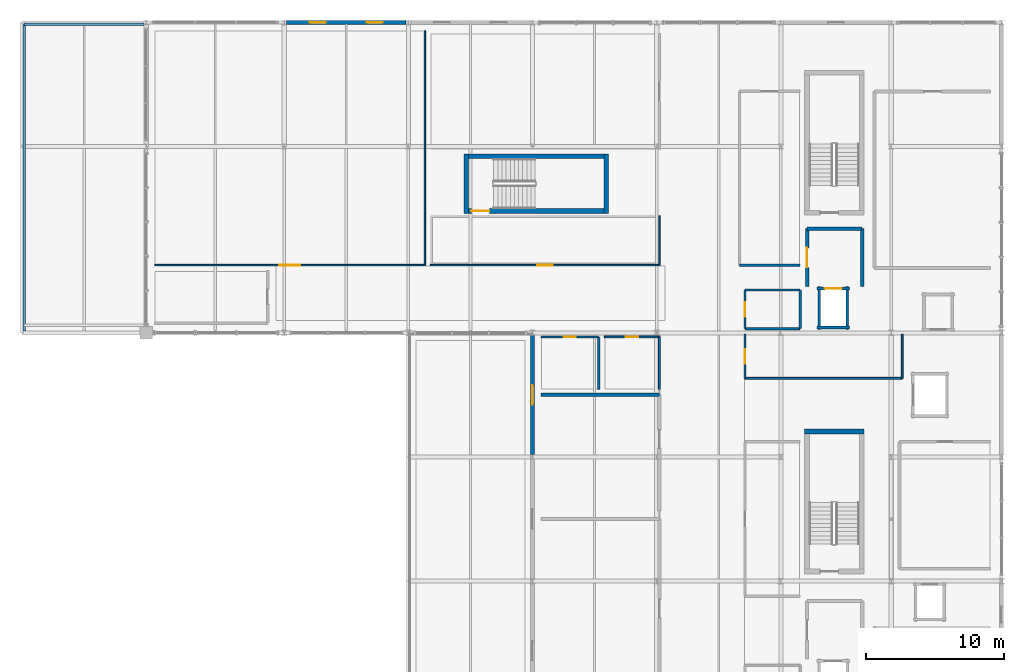
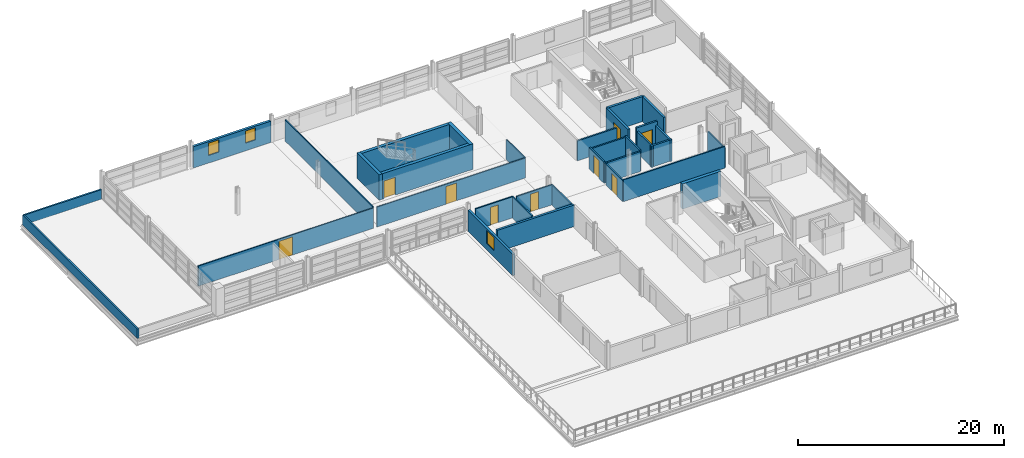
# One storey, part 23 of 30: 33 walls, 9 doors, 3 windows, 12 openings.
"""IFC4 building model written with IfcOpenShell, lengths in metres."""

from ifc_helpers import new_model, si_unit, direction, frame, frame_2d, origin, place, context, subcontext, project, spatial, rectangle, extrude, material, layer, layer_set, type_object, element, fill, save


model = new_model("IFC4")

# Units and contexts
model_context = context("Model", 3, precision=1e-05, world=origin(), true_north=direction((0.0, 1.0)))
body_context = subcontext(model_context, "Body", "Model", "MODEL_VIEW")
ifc_project = project(units=[si_unit("LENGTHUNIT", "METRE"), si_unit("AREAUNIT", "SQUARE_METRE"), si_unit("VOLUMEUNIT", "CUBIC_METRE"), si_unit("PLANEANGLEUNIT", "RADIAN"), si_unit("MASSUNIT", "GRAM", prefix="KILO")], contexts=[model_context])

# Site, building, storey
site_placement = place(None, origin())
site = spatial("IfcSite", under=ifc_project, at=site_placement, CompositionType="ELEMENT")
building_placement = place(site_placement, origin())
building = spatial("IfcBuilding", under=site, at=building_placement, Name="Chuanluo Vaults Station", CompositionType="ELEMENT")
storey_placement = place(building_placement, frame((0.0, 0.0, 17.60009765625)))
storey = spatial("IfcBuildingStorey", under=building, at=storey_placement, Name="L04", CompositionType="ELEMENT", Elevation=17.60009765625)

# Wall
ifc_material_1 = material(Name="Concrete C50", Category="concrete")
ifc_layer_1 = layer(ifc_material_1, 0.35009765625)
ifc_layer_set_1 = layer_set([ifc_layer_1], Name="Concrete C50")
wall_type_1 = type_object("IfcWallType", Name="WL-COR-350", PredefinedType="SHEAR", material=ifc_layer_set_1)
wall_1_placement = place(storey_placement, frame((178.03759765625, 96.347412109375, 0.0), z_axis=(0.0, 0.0, 1.0), x_axis=(-1.0, 0.0, 0.0)))
element("IfcWall", 1, at=wall_1_placement, inside=storey, type_object=wall_type_1, Name="Core K1 far shear wall", PredefinedType="SHEAR", context=body_context, shape_type="SweptSolid", body=[
    extrude(rectangle(XDim=4.320068359375, YDim=0.35009765625, at=frame_2d((2.16015625, 0.0))), origin(), (0.0, 0.0, 1.0), 2.97998046875),
])

# Wall, opening, door
wall_2_placement = place(storey_placement, frame((149.02490234375, 112.324951171875, 0.0), z_axis=(0.0, 0.0, 1.0), x_axis=(1.0, 0.0, 0.0)))
wall_2 = element("IfcWall", 2, at=wall_2_placement, inside=storey, type_object=wall_type_1, Name="Core K3 left shear wall", PredefinedType="SHEAR", context=body_context, shape_type="SweptSolid", body=[
    extrude(rectangle(XDim=10.49755859375, YDim=0.35009765625, at=frame_2d((5.248779296875, 0.0))), origin(), (0.0, 0.0, 1.0), 3.02001953125),
])
opening_1_placement = place(wall_2_placement, frame((0.550048828125, 0.0, 0.0)))
opening_1 = element("IfcOpeningElement", 3, at=opening_1_placement, cuts=wall_2, Name="Opening FD-05", PredefinedType="OPENING", context=body_context, shape_type="SweptSolid", body=[
    extrude(rectangle(XDim=1.300048828125, YDim=2.10009765625, at=frame_2d((0.64990234375, 1.050048828125))), frame((0.0, 0.18505, 0.0), z_axis=(0.0, -1.0, 0.0), x_axis=(1.0, 0.0, 0.0)), (0.0, 0.0, 1.0), 0.3701),
])
ifc_material_2 = material(Name="Fire-rated steel leaf", Category="steel")
door_type_1 = type_object("IfcDoorType", Name="DR-FIR-1300x2100", OperationType="NOTDEFINED", PredefinedType="DOOR", material=ifc_material_2)
door_1_placement = place(opening_1_placement, origin())
door_1 = element("IfcDoor", 4, at=door_1_placement, inside=storey, type_object=door_type_1, Name="D-077 Stair ST-03 fire door", OperationType="SINGLE_SWING_RIGHT", OverallHeight=2.10009765625, OverallWidth=1.300048828125, PredefinedType="DOOR", context=body_context, shape_type="SweptSolid", body=[
    extrude(rectangle(XDim=1.300048828125, YDim=2.10009765625, at=frame_2d((0.64990234375, 1.050048828125))), frame((0.0, 0.02490234375, 0.0), z_axis=(0.0, -1.0, 0.0), x_axis=(1.0, 0.0, 0.0)), (0.0, 0.0, 1.0), 0.050048828125),
])
fill(opening_1, door_1)

# Walls
wall_3_placement = place(storey_placement, frame((159.5224609375, 116.294921875, 0.0), z_axis=(0.0, 0.0, 1.0), x_axis=(-1.0, 0.0, 0.0)))
element("IfcWall", 5, at=wall_3_placement, inside=storey, type_object=wall_type_1, Name="Core K3 right shear wall", PredefinedType="SHEAR", context=body_context, shape_type="SweptSolid", body=[
    extrude(rectangle(XDim=10.49755859375, YDim=0.35009765625, at=frame_2d((5.248779296875, 0.0))), origin(), (0.0, 0.0, 1.0), 3.02001953125),
])
for number, where, z_axis, x_axis, name in (
    (6, (159.347412109375, 112.14990234375, 0.0), (0.0, 0.0, 1.0), (0.0, 1.0, 0.0), "Core K3 far shear wall"),
    (7, (149.199951171875, 116.469970703125, 0.0), (0.0, 0.0, 1.0), (0.0, -1.0, 0.0), "Core K3 near shear wall"),
):
    element("IfcWall", number, at=place(storey_placement, frame(where, z_axis=z_axis, x_axis=x_axis)), inside=storey, type_object=wall_type_1, Name=name, PredefinedType="SHEAR", context=body_context, shape_type="SweptSolid", body=[
        extrude(rectangle(XDim=4.320068359375, YDim=0.35009765625, at=frame_2d((2.16015625, 0.0))), origin(), (0.0, 0.0, 1.0), 3.02001953125),
    ])

# Wall, opening, window
ifc_material_3 = material(Name="Concrete C40", Category="concrete")
ifc_layer_2 = layer(ifc_material_3, 0.260009765625)
ifc_layer_set_2 = layer_set([ifc_layer_2], Name="Concrete C40")
wall_type_2 = type_object("IfcWallType", Name="WL-EXT-260", PredefinedType="SOLIDWALL", material=ifc_layer_set_2)
wall_4_placement = place(storey_placement, frame((154.0, 94.675048828125, 0.0), z_axis=(0.0, 0.0, 1.0), x_axis=(0.0, 1.0, 0.0)))
wall_4 = element("IfcWall", 8, at=wall_4_placement, inside=storey, type_object=wall_type_2, Name="L04 west terrace wall 2B", PredefinedType="SOLIDWALL", context=body_context, shape_type="SweptSolid", body=[
    extrude(rectangle(XDim=8.64990234375, YDim=0.260009765625, at=frame_2d((4.324951171875, 0.0))), origin(), (0.0, 0.0, 1.0), 2.5048828125),
])
opening_2_placement = place(wall_4_placement, frame((3.625, 0.0, 0.75)))
opening_2 = element("IfcOpeningElement", 9, at=opening_2_placement, cuts=wall_4, Name="Opening W-41", PredefinedType="OPENING", context=body_context, shape_type="SweptSolid", body=[
    extrude(rectangle(XDim=1.39990234375, YDim=1.550048828125, at=frame_2d((0.699951171875, 0.77490234375))), frame((0.0, 0.13988, 0.0), z_axis=(0.0, -1.0, 0.0), x_axis=(1.0, 0.0, 0.0)), (0.0, 0.0, 1.0), 0.28001),
])
ifc_material_4 = material(Name="Double-silver Low-E laminated glass", Category="glass")
window_type_1 = type_object("IfcWindowType", Name="WN-OPS-1400x1550", PartitioningType="SINGLE_PANEL", PredefinedType="WINDOW", material=ifc_material_4)
window_1_placement = place(opening_2_placement, origin())
window_1 = element("IfcWindow", 10, at=window_1_placement, inside=storey, type_object=window_type_1, Name="W-126 L04 west terrace wall 2B window", OverallHeight=1.550048828125, OverallWidth=1.39990234375, PartitioningType="SINGLE_PANEL", PredefinedType="WINDOW", context=body_context, shape_type="SweptSolid", body=[
    extrude(rectangle(XDim=1.39990234375, YDim=1.550048828125, at=frame_2d((0.699951171875, 0.77490234375))), frame((0.0, 0.030029296875, 0.0), z_axis=(0.0, -1.0, 0.0), x_axis=(1.0, 0.0, 0.0)), (0.0, 0.0, 1.0), 0.06005859375),
])
fill(opening_2, window_1)

# Wall, openings, windows
ifc_material_5 = material(Name="Concrete C40", Category="concrete")
ifc_layer_3 = layer(ifc_material_5, 0.27001953125)
ifc_layer_set_3 = layer_set([ifc_layer_3], Name="Concrete C40")
wall_type_3 = type_object("IfcWallType", Name="WL-EXT-270", PredefinedType="SOLIDWALL", material=ifc_layer_set_3)
wall_5_placement = place(storey_placement, frame((136.175048828125, 126.0, 0.0), z_axis=(0.0, 0.0, 1.0), x_axis=(1.0, 0.0, 0.0)))
wall_5 = element("IfcWall", 11, at=wall_5_placement, inside=storey, type_object=wall_type_3, Name="L04 exterior punched wall 23", PredefinedType="SOLIDWALL", context=body_context, shape_type="SweptSolid", body=[
    extrude(rectangle(XDim=8.64990234375, YDim=0.27001953125, at=frame_2d((4.324951171875, 0.0))), origin(), (0.0, 0.0, 1.0), 2.534912109375),
])
opening_3_placement = place(wall_5_placement, frame((1.68994140625, 0.0, 0.89990234375)))
opening_3 = element("IfcOpeningElement", 12, at=opening_3_placement, cuts=wall_5, Name="Opening W-49", PredefinedType="OPENING", context=body_context, shape_type="SweptSolid", body=[
    extrude(rectangle(XDim=1.14990234375, YDim=1.449951171875, at=frame_2d((0.574951171875, 0.72509765625))), frame((0.0, 0.14501, 0.0), z_axis=(0.0, -1.0, 0.0), x_axis=(1.0, 0.0, 0.0)), (0.0, 0.0, 1.0), 0.29002),
])
opening_4_placement = place(wall_5_placement, frame((5.81005859375, 0.0, 0.89990234375)))
opening_4 = element("IfcOpeningElement", 13, at=opening_4_placement, cuts=wall_5, Name="Opening W-49", PredefinedType="OPENING", context=body_context, shape_type="SweptSolid", body=[
    extrude(rectangle(XDim=1.14990234375, YDim=1.449951171875, at=frame_2d((0.574951171875, 0.72509765625))), frame((0.0, 0.14501, 0.0), z_axis=(0.0, -1.0, 0.0), x_axis=(1.0, 0.0, 0.0)), (0.0, 0.0, 1.0), 0.29002),
])
ifc_material_6 = material(Name="Double-silver Low-E laminated glass", Category="glass")
window_type_2 = type_object("IfcWindowType", Name="WN-OPS-1150x1450", PartitioningType="SINGLE_PANEL", PredefinedType="WINDOW", material=ifc_material_6)
window_2_placement = place(opening_3_placement, origin())
window_2 = element("IfcWindow", 14, at=window_2_placement, inside=storey, type_object=window_type_2, Name="W-098 L04 facade window", OverallHeight=1.449951171875, OverallWidth=1.14990234375, PartitioningType="SINGLE_PANEL", PredefinedType="WINDOW", context=body_context, shape_type="SweptSolid", body=[
    extrude(rectangle(XDim=1.14990234375, YDim=1.449951171875, at=frame_2d((0.574951171875, 0.72509765625))), frame((0.0, 0.030029296875, 0.0), z_axis=(0.0, -1.0, 0.0), x_axis=(1.0, 0.0, 0.0)), (0.0, 0.0, 1.0), 0.06005859375),
])
fill(opening_3, window_2)
window_3_placement = place(opening_4_placement, origin())
window_3 = element("IfcWindow", 15, at=window_3_placement, inside=storey, type_object=window_type_2, Name="W-099 L04 facade window", OverallHeight=1.449951171875, OverallWidth=1.14990234375, PartitioningType="SINGLE_PANEL", PredefinedType="WINDOW", context=body_context, shape_type="SweptSolid", body=[
    extrude(rectangle(XDim=1.14990234375, YDim=1.449951171875, at=frame_2d((0.574951171875, 0.72509765625))), frame((0.0, 0.030029296875, 0.0), z_axis=(0.0, -1.0, 0.0), x_axis=(1.0, 0.0, 0.0)), (0.0, 0.0, 1.0), 0.06005859375),
])
fill(opening_4, window_3)

# Walls
ifc_material_7 = material(Name="Concrete C40", Category="concrete")
ifc_layer_4 = layer(ifc_material_7, 0.25)
ifc_layer_set_4 = layer_set([ifc_layer_4], Name="Concrete C40")
wall_type_4 = type_object("IfcWallType", Name="WL-FIR-250", PredefinedType="SOLIDWALL", material=ifc_layer_set_4)
wall_6_placement = place(storey_placement, frame((154.60009765625, 99.0, 0.0), z_axis=(0.0, 0.0, 1.0), x_axis=(1.0, 0.0, 0.0)))
element("IfcWall", 16, at=wall_6_placement, inside=storey, type_object=wall_type_4, Name="L04-03 Telecom and Signalling Server Suite N partition", PredefinedType="SOLIDWALL", context=body_context, shape_type="SweptSolid", body=[
    extrude(rectangle(XDim=8.599853515625, YDim=0.25, at=frame_2d((4.2998046875, 0.0))), origin(), (0.0, 0.0, 1.0), 2.554931640625),
])
wall_7_placement = place(storey_placement, frame((173.89990234375, 111.050048828125, 0.0), z_axis=(0.0, 0.0, 1.0), x_axis=(1.0, 0.0, 0.0)))
element("IfcWall", 17, at=wall_7_placement, inside=storey, type_object=wall_type_4, Name="L04-FFL-K2 Firefighting Lift Lobby FFL-02 L04 N partition", PredefinedType="SOLIDWALL", context=body_context, shape_type="SweptSolid", body=[
    extrude(rectangle(XDim=4.0, YDim=0.25, at=frame_2d((2.0, 0.0))), origin(), (0.0, 0.0, 1.0), 2.954833984375),
])

# Wall, opening, door
wall_8_placement = place(storey_placement, frame((173.89990234375, 106.85009765625, 0.0), z_axis=(0.0, 0.0, 1.0), x_axis=(0.0, 1.0, 0.0)))
wall_8 = element("IfcWall", 18, at=wall_8_placement, inside=storey, type_object=wall_type_4, Name="L04-FFL-K2 Firefighting Lift Lobby FFL-02 L04 W partition", PredefinedType="SOLIDWALL", context=body_context, shape_type="SweptSolid", body=[
    extrude(rectangle(XDim=4.199951171875, YDim=0.25, at=frame_2d((2.10009765625, 0.0))), origin(), (0.0, 0.0, 1.0), 2.954833984375),
])
opening_5_placement = place(wall_8_placement, frame((1.39990234375, 0.0, 0.0)))
opening_5 = element("IfcOpeningElement", 19, at=opening_5_placement, cuts=wall_8, Name="Opening FD-04", PredefinedType="OPENING", context=body_context, shape_type="SweptSolid", body=[
    extrude(rectangle(XDim=1.39990234375, YDim=2.10009765625, at=frame_2d((0.699951171875, 1.050048828125))), frame((0.0, 0.135, 0.0), z_axis=(0.0, -1.0, 0.0), x_axis=(1.0, 0.0, 0.0)), (0.0, 0.0, 1.0), 0.27),
])
ifc_material_8 = material(Name="Fire-rated steel leaf", Category="steel")
door_type_2 = type_object("IfcDoorType", Name="DR-FIR-1400x2100", OperationType="NOTDEFINED", PredefinedType="DOOR", material=ifc_material_8)
door_2_placement = place(opening_5_placement, origin())
door_2 = element("IfcDoor", 20, at=door_2_placement, inside=storey, type_object=door_type_2, Name="D-279 Firefighting Lift Lobby FFL-02 L04 door", OperationType="SINGLE_SWING_RIGHT", OverallHeight=2.10009765625, OverallWidth=1.39990234375, PredefinedType="DOOR", context=body_context, shape_type="SweptSolid", body=[
    extrude(rectangle(XDim=1.39990234375, YDim=2.10009765625, at=frame_2d((0.699951171875, 1.050048828125))), frame((0.0, 0.02490234375, 0.0), z_axis=(0.0, -1.0, 0.0), x_axis=(1.0, 0.0, 0.0)), (0.0, 0.0, 1.0), 0.050048828125),
])
fill(opening_5, door_2)

# Walls
wall_9_placement = place(storey_placement, frame((177.89990234375, 111.050048828125, 0.0), z_axis=(0.0, 0.0, 1.0), x_axis=(0.0, -1.0, 0.0)))
element("IfcWall", 21, at=wall_9_placement, inside=storey, type_object=wall_type_4, Name="L04-FFL-K2 Firefighting Lift Lobby FFL-02 L04 E partition", PredefinedType="SOLIDWALL", context=body_context, shape_type="SweptSolid", body=[
    extrude(rectangle(XDim=4.199951171875, YDim=0.25, at=frame_2d((2.10009765625, 0.0))), origin(), (0.0, 0.0, 1.0), 2.954833984375),
])
ifc_material_9 = material(Name="Concrete C40", Category="concrete")
ifc_layer_5 = layer(ifc_material_9, 0.179931640625)
ifc_layer_set_5 = layer_set([ifc_layer_5], Name="Concrete C40")
wall_type_5 = type_object("IfcWallType", Name="WL-PAR-180", PredefinedType="PARAPET", material=ifc_layer_set_5)
wall_10_placement = place(storey_placement, frame((117.14990234375, 103.64990234375, 0.0), z_axis=(0.0, 0.0, 1.0), x_axis=(0.0, 1.0, 0.0)))
element("IfcWall", 22, at=wall_10_placement, inside=storey, type_object=wall_type_5, Name="L04 roof parapet wall 14", PredefinedType="PARAPET", context=body_context, shape_type="SweptSolid", body=[
    extrude(rectangle(XDim=22.2001953125, YDim=0.179931640625, at=frame_2d((11.10009765625, 0.0))), origin(), (0.0, 0.0, 1.0), 1.14990234375),
])
wall_11_placement = place(storey_placement, frame((117.14990234375, 125.85009765625, 0.0), z_axis=(0.0, 0.0, 1.0), x_axis=(1.0, 0.0, 0.0)))
element("IfcWall", 23, at=wall_11_placement, inside=storey, type_object=wall_type_5, Name="L04 roof parapet wall 15", PredefinedType="PARAPET", context=body_context, shape_type="SweptSolid", body=[
    extrude(rectangle(XDim=8.7001953125, YDim=0.179931640625, at=frame_2d((4.35009765625, 0.0))), origin(), (0.0, 0.0, 1.0), 1.14990234375),
])

# Wall, opening, door
ifc_material_10 = material(Name="Masonry blockwork M10", Category="masonry")
ifc_layer_6 = layer(ifc_material_10, 0.110107421875)
ifc_layer_set_6 = layer_set([ifc_layer_6], Name="Masonry blockwork M10")
wall_type_6 = type_object("IfcWallType", Name="WL-PRT-110", PredefinedType="PARTITIONING", material=ifc_layer_set_6)
wall_12_placement = place(storey_placement, frame((146.199951171875, 108.39990234375, 0.0), z_axis=(0.0, 0.0, 1.0), x_axis=(-1.0, 0.0, 0.0)))
wall_12 = element("IfcWall", 24, at=wall_12_placement, inside=storey, type_object=wall_type_6, Name="L04-01 Integrated Station Control Centre Hall S partition", PredefinedType="PARTITIONING", context=body_context, shape_type="SweptSolid", body=[
    extrude(rectangle(XDim=19.599853515625, YDim=0.110107421875, at=frame_2d((9.7998046875, 0.0))), origin(), (0.0, 0.0, 1.0), 2.39501953125),
])
opening_6_placement = place(wall_12_placement, frame((9.050048828125, 0.0, 0.0)))
opening_6 = element("IfcOpeningElement", 25, at=opening_6_placement, cuts=wall_12, Name="Opening FD-03", PredefinedType="OPENING", context=body_context, shape_type="SweptSolid", body=[
    extrude(rectangle(XDim=1.5, YDim=2.14990234375, at=frame_2d((0.75, 1.074951171875))), frame((0.0, 0.06518, 0.0), z_axis=(0.0, -1.0, 0.0), x_axis=(1.0, 0.0, 0.0)), (0.0, 0.0, 1.0), 0.13011),
])
ifc_material_11 = material(Name="Fire-rated steel leaf", Category="steel")
door_type_3 = type_object("IfcDoorType", Name="DR-FIR-1500x2150", OperationType="NOTDEFINED", PredefinedType="DOOR", material=ifc_material_11)
door_3_placement = place(opening_6_placement, origin())
door_3 = element("IfcDoor", 26, at=door_3_placement, inside=storey, type_object=door_type_3, Name="D-237 Integrated Station Control Centre Hall door", OperationType="SINGLE_SWING_RIGHT", OverallHeight=2.14990234375, OverallWidth=1.5, PredefinedType="DOOR", context=body_context, shape_type="SweptSolid", body=[
    extrude(rectangle(XDim=1.5, YDim=2.14990234375, at=frame_2d((0.75, 1.074951171875))), frame((0.0, 0.02490234375, 0.0), z_axis=(0.0, -1.0, 0.0), x_axis=(1.0, 0.0, 0.0)), (0.0, 0.0, 1.0), 0.050048828125),
])
fill(opening_6, door_3)

# Wall
wall_13_placement = place(storey_placement, frame((146.199951171875, 125.39990234375, 0.0), z_axis=(0.0, 0.0, 1.0), x_axis=(0.0, -1.0, 0.0)))
element("IfcWall", 27, at=wall_13_placement, inside=storey, type_object=wall_type_6, Name="L04-01 Integrated Station Control Centre Hall E partition", PredefinedType="PARTITIONING", context=body_context, shape_type="SweptSolid", body=[
    extrude(rectangle(XDim=17.0, YDim=0.110107421875, at=frame_2d((8.5, 0.0))), origin(), (0.0, 0.0, 1.0), 2.534912109375),
])

# Wall, opening, door
wall_14_placement = place(storey_placement, frame((163.199951171875, 108.39990234375, 0.0), z_axis=(0.0, 0.0, 1.0), x_axis=(-1.0, 0.0, 0.0)))
wall_14 = element("IfcWall", 28, at=wall_14_placement, inside=storey, type_object=wall_type_6, Name="L04-07 Control Staff Break Lounge S partition", PredefinedType="PARTITIONING", context=body_context, shape_type="SweptSolid", body=[
    extrude(rectangle(XDim=16.599853515625, YDim=0.110107421875, at=frame_2d((8.2998046875, 0.0))), origin(), (0.0, 0.0, 1.0), 2.35498046875),
])
opening_7_placement = place(wall_14_placement, frame((7.72509765625, 0.0, 0.0)))
opening_7 = element("IfcOpeningElement", 29, at=opening_7_placement, cuts=wall_14, Name="Opening D-I06", PredefinedType="OPENING", context=body_context, shape_type="SweptSolid", body=[
    extrude(rectangle(XDim=1.14990234375, YDim=2.10009765625, at=frame_2d((0.574951171875, 1.050048828125))), frame((0.0, 0.06518, 0.0), z_axis=(0.0, -1.0, 0.0), x_axis=(1.0, 0.0, 0.0)), (0.0, 0.0, 1.0), 0.13011),
])
ifc_material_12 = material(Name="Anodised aluminium 6063-T6", Category="aluminium")
door_type_4 = type_object("IfcDoorType", Name="DR-INT-1150x2100", OperationType="NOTDEFINED", PredefinedType="DOOR", material=ifc_material_12)
door_4_placement = place(opening_7_placement, origin())
door_4 = element("IfcDoor", 30, at=door_4_placement, inside=storey, type_object=door_type_4, Name="D-242 Control Staff Break Lounge door", OperationType="SINGLE_SWING_LEFT", OverallHeight=2.10009765625, OverallWidth=1.14990234375, PredefinedType="DOOR", context=body_context, shape_type="SweptSolid", body=[
    extrude(rectangle(XDim=1.14990234375, YDim=2.10009765625, at=frame_2d((0.574951171875, 1.050048828125))), frame((0.0, 0.02490234375, 0.0), z_axis=(0.0, -1.0, 0.0), x_axis=(1.0, 0.0, 0.0)), (0.0, 0.0, 1.0), 0.050048828125),
])
fill(opening_7, door_4)

# Walls
wall_15_placement = place(storey_placement, frame((163.199951171875, 112.0, 0.0), z_axis=(0.0, 0.0, 1.0), x_axis=(0.0, -1.0, 0.0)))
element("IfcWall", 31, at=wall_15_placement, inside=storey, type_object=wall_type_6, Name="L04-07 Control Staff Break Lounge E partition", PredefinedType="PARTITIONING", context=body_context, shape_type="SweptSolid", body=[
    extrude(rectangle(XDim=3.60009765625, YDim=0.110107421875, at=frame_2d((1.800048828125, 0.0))), origin(), (0.0, 0.0, 1.0), 2.35498046875),
])
ifc_material_13 = material(Name="Autoclaved aerated concrete blockwork MU10", Category="masonry")
ifc_layer_7 = layer(ifc_material_13, 0.139892578125)
ifc_layer_set_7 = layer_set([ifc_layer_7], Name="Autoclaved aerated concrete blockwork MU10")
wall_type_7 = type_object("IfcWallType", Name="WL-PRT-140", PredefinedType="PARTITIONING", material=ifc_layer_set_7)
wall_16_placement = place(storey_placement, frame((180.800048828125, 100.199951171875, 0.0), z_axis=(0.0, 0.0, 1.0), x_axis=(-1.0, 0.0, 0.0)))
element("IfcWall", 32, at=wall_16_placement, inside=storey, type_object=wall_type_7, Name="L04-04B East Traction Dispatch Studio S partition", PredefinedType="PARTITIONING", context=body_context, shape_type="SweptSolid", body=[
    extrude(rectangle(XDim=11.400146484375, YDim=0.139892578125, at=frame_2d((5.7001953125, 0.0))), origin(), (0.0, 0.0, 1.0), 2.56494140625),
])

# Wall, opening, door
wall_17_placement = place(storey_placement, frame((169.39990234375, 100.199951171875, 0.0), z_axis=(0.0, 0.0, 1.0), x_axis=(0.0, 1.0, 0.0)))
wall_17 = element("IfcWall", 33, at=wall_17_placement, inside=storey, type_object=wall_type_7, Name="L04-04B East Traction Dispatch Studio W partition", PredefinedType="PARTITIONING", context=body_context, shape_type="SweptSolid", body=[
    extrude(rectangle(XDim=3.199951171875, YDim=0.139892578125, at=frame_2d((1.60009765625, 0.0))), origin(), (0.0, 0.0, 1.0), 2.514892578125),
])
opening_8_placement = place(wall_17_placement, frame((1.074951171875, 0.0, 0.0)))
opening_8 = element("IfcOpeningElement", 34, at=opening_8_placement, cuts=wall_17, Name="Opening D-I07", PredefinedType="OPENING", context=body_context, shape_type="SweptSolid", body=[
    extrude(rectangle(XDim=1.050048828125, YDim=2.10009765625, at=frame_2d((0.52490234375, 1.050048828125))), frame((0.0, 0.07982, 0.0), z_axis=(0.0, -1.0, 0.0), x_axis=(1.0, 0.0, 0.0)), (0.0, 0.0, 1.0), 0.15989),
])
ifc_material_14 = material(Name="Anodised aluminium 6063-T6", Category="aluminium")
door_type_5 = type_object("IfcDoorType", Name="DR-INT-1050x2100", OperationType="NOTDEFINED", PredefinedType="DOOR", material=ifc_material_14)
door_5_placement = place(opening_8_placement, origin())
door_5 = element("IfcDoor", 35, at=door_5_placement, inside=storey, type_object=door_type_5, Name="D-241 East Traction Dispatch Studio door", OperationType="SINGLE_SWING_RIGHT", OverallHeight=2.10009765625, OverallWidth=1.050048828125, PredefinedType="DOOR", context=body_context, shape_type="SweptSolid", body=[
    extrude(rectangle(XDim=1.050048828125, YDim=2.10009765625, at=frame_2d((0.52490234375, 1.050048828125))), frame((0.0, 0.02490234375, 0.0), z_axis=(0.0, -1.0, 0.0), x_axis=(1.0, 0.0, 0.0)), (0.0, 0.0, 1.0), 0.050048828125),
])
fill(opening_8, door_5)

# Wall
wall_18_placement = place(storey_placement, frame((180.800048828125, 103.39990234375, 0.0), z_axis=(0.0, 0.0, 1.0), x_axis=(0.0, -1.0, 0.0)))
element("IfcWall", 36, at=wall_18_placement, inside=storey, type_object=wall_type_7, Name="L04-04B East Traction Dispatch Studio E partition", PredefinedType="PARTITIONING", context=body_context, shape_type="SweptSolid", body=[
    extrude(rectangle(XDim=3.199951171875, YDim=0.139892578125, at=frame_2d((1.60009765625, 0.0))), origin(), (0.0, 0.0, 1.0), 2.35498046875),
])

# Wall, opening, door
wall_19_placement = place(storey_placement, frame((159.199951171875, 103.199951171875, 0.0), z_axis=(0.0, 0.0, 1.0), x_axis=(1.0, 0.0, 0.0)))
wall_19 = element("IfcWall", 37, at=wall_19_placement, inside=storey, type_object=wall_type_7, Name="L04-11 Level 4 Female Toilet N partition", PredefinedType="PARTITIONING", context=body_context, shape_type="SweptSolid", body=[
    extrude(rectangle(XDim=4.0, YDim=0.139892578125, at=frame_2d((2.0, 0.0))), origin(), (0.0, 0.0, 1.0), 2.35498046875),
])
opening_9_placement = place(wall_19_placement, frame((1.550048828125, 0.0, 0.0)))
opening_9 = element("IfcOpeningElement", 38, at=opening_9_placement, cuts=wall_19, Name="Opening D-WC1", PredefinedType="OPENING", context=body_context, shape_type="SweptSolid", body=[
    extrude(rectangle(XDim=0.89990234375, YDim=2.10009765625, at=frame_2d((0.449951171875, 1.050048828125))), frame((0.0, 0.07982, 0.0), z_axis=(0.0, -1.0, 0.0), x_axis=(1.0, 0.0, 0.0)), (0.0, 0.0, 1.0), 0.15989),
])
ifc_material_15 = material(Name="Anodised aluminium 6063-T6", Category="aluminium")
door_type_6 = type_object("IfcDoorType", Name="DR-WC-0900x2100", OperationType="NOTDEFINED", PredefinedType="DOOR", material=ifc_material_15)
door_6_placement = place(opening_9_placement, origin())
door_6 = element("IfcDoor", 39, at=door_6_placement, inside=storey, type_object=door_type_6, Name="D-247 Level 4 Female Toilet door", OperationType="SINGLE_SWING_RIGHT", OverallHeight=2.10009765625, OverallWidth=0.89990234375, PredefinedType="DOOR", context=body_context, shape_type="SweptSolid", body=[
    extrude(rectangle(XDim=0.89990234375, YDim=2.10009765625, at=frame_2d((0.449951171875, 1.050048828125))), frame((0.0, 0.02490234375, 0.0), z_axis=(0.0, -1.0, 0.0), x_axis=(1.0, 0.0, 0.0)), (0.0, 0.0, 1.0), 0.050048828125),
])
fill(opening_9, door_6)

# Wall
wall_20_placement = place(storey_placement, frame((163.199951171875, 103.199951171875, 0.0), z_axis=(0.0, 0.0, 1.0), x_axis=(0.0, -1.0, 0.0)))
element("IfcWall", 40, at=wall_20_placement, inside=storey, type_object=wall_type_7, Name="L04-11 Level 4 Female Toilet E partition", PredefinedType="PARTITIONING", context=body_context, shape_type="SweptSolid", body=[
    extrude(rectangle(XDim=3.800048828125, YDim=0.139892578125, at=frame_2d((1.89990234375, 0.0))), origin(), (0.0, 0.0, 1.0), 2.35498046875),
])

# Wall, opening, door
ifc_material_16 = material(Name="Autoclaved aerated concrete blockwork MU10", Category="masonry")
ifc_layer_8 = layer(ifc_material_16, 0.14990234375)
ifc_layer_set_8 = layer_set([ifc_layer_8], Name="Autoclaved aerated concrete blockwork MU10")
wall_type_8 = type_object("IfcWallType", Name="WL-PRT-150", PredefinedType="PARTITIONING", material=ifc_layer_set_8)
wall_21_placement = place(storey_placement, frame((154.60009765625, 103.199951171875, 0.0), z_axis=(0.0, 0.0, 1.0), x_axis=(1.0, 0.0, 0.0)))
wall_21 = element("IfcWall", 41, at=wall_21_placement, inside=storey, type_object=wall_type_8, Name="L04-10 Level 4 Male Toilet N partition", PredefinedType="PARTITIONING", context=body_context, shape_type="SweptSolid", body=[
    extrude(rectangle(XDim=4.199951171875, YDim=0.14990234375, at=frame_2d((2.10009765625, 0.0))), origin(), (0.0, 0.0, 1.0), 2.5048828125),
])
opening_10_placement = place(wall_21_placement, frame((1.64990234375, 0.0, 0.0)))
opening_10 = element("IfcOpeningElement", 42, at=opening_10_placement, cuts=wall_21, Name="Opening D-WC1", PredefinedType="OPENING", context=body_context, shape_type="SweptSolid", body=[
    extrude(rectangle(XDim=0.89990234375, YDim=2.10009765625, at=frame_2d((0.449951171875, 1.050048828125))), frame((0.0, 0.08495, 0.0), z_axis=(0.0, -1.0, 0.0), x_axis=(1.0, 0.0, 0.0)), (0.0, 0.0, 1.0), 0.1699),
])
door_7_placement = place(opening_10_placement, origin())
door_7 = element("IfcDoor", 43, at=door_7_placement, inside=storey, type_object=door_type_6, Name="D-246 Level 4 Male Toilet door", OperationType="SINGLE_SWING_LEFT", OverallHeight=2.10009765625, OverallWidth=0.89990234375, PredefinedType="DOOR", context=body_context, shape_type="SweptSolid", body=[
    extrude(rectangle(XDim=0.89990234375, YDim=2.10009765625, at=frame_2d((0.449951171875, 1.050048828125))), frame((0.0, 0.02490234375, 0.0), z_axis=(0.0, -1.0, 0.0), x_axis=(1.0, 0.0, 0.0)), (0.0, 0.0, 1.0), 0.050048828125),
])
fill(opening_10, door_7)

# Walls
wall_22_placement = place(storey_placement, frame((158.800048828125, 103.199951171875, 0.0), z_axis=(0.0, 0.0, 1.0), x_axis=(0.0, -1.0, 0.0)))
element("IfcWall", 44, at=wall_22_placement, inside=storey, type_object=wall_type_8, Name="L04-10 Level 4 Male Toilet E partition", PredefinedType="PARTITIONING", context=body_context, shape_type="SweptSolid", body=[
    extrude(rectangle(XDim=3.800048828125, YDim=0.14990234375, at=frame_2d((1.89990234375, 0.0))), origin(), (0.0, 0.0, 1.0), 2.5048828125),
])
ifc_material_17 = material(Name="Autoclaved aerated concrete blockwork MU10", Category="masonry")
ifc_layer_9 = layer(ifc_material_17, 0.159912109375)
ifc_layer_set_9 = layer_set([ifc_layer_9], Name="Autoclaved aerated concrete blockwork MU10")
wall_type_9 = type_object("IfcWallType", Name="WL-PRT-160", PredefinedType="PARTITIONING", material=ifc_layer_set_9)
for number, where, z_axis, x_axis, name in (
    (45, (173.39990234375, 103.800048828125, 0.0), (0.0, 0.0, 1.0), (-1.0, 0.0, 0.0), "L04-09C Signal Maintenance Technical Suite S partition"),
    (46, (169.39990234375, 106.60009765625, 0.0), (0.0, 0.0, 1.0), (1.0, 0.0, 0.0), "L04-09C Signal Maintenance Technical Suite N partition"),
):
    element("IfcWall", number, at=place(storey_placement, frame(where, z_axis=z_axis, x_axis=x_axis)), inside=storey, type_object=wall_type_9, Name=name, PredefinedType="PARTITIONING", context=body_context, shape_type="SweptSolid", body=[
        extrude(rectangle(XDim=4.0, YDim=0.159912109375, at=frame_2d((2.0, 0.0))), origin(), (0.0, 0.0, 1.0), 2.35498046875),
    ])

# Wall, opening, door
wall_23_placement = place(storey_placement, frame((169.39990234375, 103.800048828125, 0.0), z_axis=(0.0, 0.0, 1.0), x_axis=(0.0, 1.0, 0.0)))
wall_23 = element("IfcWall", 47, at=wall_23_placement, inside=storey, type_object=wall_type_9, Name="L04-09C Signal Maintenance Technical Suite W partition", PredefinedType="PARTITIONING", context=body_context, shape_type="SweptSolid", body=[
    extrude(rectangle(XDim=2.800048828125, YDim=0.159912109375, at=frame_2d((1.39990234375, 0.0))), origin(), (0.0, 0.0, 1.0), 2.514892578125),
])
opening_11_placement = place(wall_23_placement, frame((0.875, 0.0, 0.0)))
opening_11 = element("IfcOpeningElement", 48, at=opening_11_placement, cuts=wall_23, Name="Opening D-I07", PredefinedType="OPENING", context=body_context, shape_type="SweptSolid", body=[
    extrude(rectangle(XDim=1.050048828125, YDim=2.10009765625, at=frame_2d((0.52490234375, 1.050048828125))), frame((0.0, 0.09008, 0.0), z_axis=(0.0, -1.0, 0.0), x_axis=(1.0, 0.0, 0.0)), (0.0, 0.0, 1.0), 0.17991),
])
door_8_placement = place(opening_11_placement, origin())
door_8 = element("IfcDoor", 49, at=door_8_placement, inside=storey, type_object=door_type_5, Name="D-245 Signal Maintenance Technical Suite door", OperationType="SINGLE_SWING_RIGHT", OverallHeight=2.10009765625, OverallWidth=1.050048828125, PredefinedType="DOOR", context=body_context, shape_type="SweptSolid", body=[
    extrude(rectangle(XDim=1.050048828125, YDim=2.10009765625, at=frame_2d((0.52490234375, 1.050048828125))), frame((0.0, 0.02490234375, 0.0), z_axis=(0.0, -1.0, 0.0), x_axis=(1.0, 0.0, 0.0)), (0.0, 0.0, 1.0), 0.050048828125),
])
fill(opening_11, door_8)

# Walls
wall_24_placement = place(storey_placement, frame((173.39990234375, 106.60009765625, 0.0), z_axis=(0.0, 0.0, 1.0), x_axis=(0.0, -1.0, 0.0)))
element("IfcWall", 50, at=wall_24_placement, inside=storey, type_object=wall_type_9, Name="L04-09C Signal Maintenance Technical Suite E partition", PredefinedType="PARTITIONING", context=body_context, shape_type="SweptSolid", body=[
    extrude(rectangle(XDim=2.800048828125, YDim=0.159912109375, at=frame_2d((1.39990234375, 0.0))), origin(), (0.0, 0.0, 1.0), 2.514892578125),
])
ifc_material_18 = material(Name="Autoclaved aerated concrete blockwork MU10", Category="masonry")
ifc_layer_10 = layer(ifc_material_18, 0.175048828125)
ifc_layer_set_10 = layer_set([ifc_layer_10], Name="Autoclaved aerated concrete blockwork MU10")
wall_type_10 = type_object("IfcWallType", Name="WL-PRT-175", PredefinedType="PARTITIONING", material=ifc_layer_set_10)
wall_25_placement = place(storey_placement, frame((173.39990234375, 108.39990234375, 0.0), z_axis=(0.0, 0.0, 1.0), x_axis=(-1.0, 0.0, 0.0)))
element("IfcWall", 51, at=wall_25_placement, inside=storey, type_object=wall_type_10, Name="L04-16 Regional Timetable Planning Office S partition", PredefinedType="PARTITIONING", context=body_context, shape_type="SweptSolid", body=[
    extrude(rectangle(XDim=4.39990234375, YDim=0.175048828125, at=frame_2d((2.199951171875, 0.0))), origin(), (0.0, 0.0, 1.0), 2.35498046875),
])
ifc_material_19 = material(Name="Concrete C40", Category="concrete")
ifc_layer_11 = layer(ifc_material_19, 0.199951171875)
ifc_layer_set_11 = layer_set([ifc_layer_11], Name="Concrete C40")
wall_type_11 = type_object("IfcWallType", Name="WL-SHF-200", PredefinedType="SOLIDWALL", material=ifc_layer_set_11)
wall_26_placement = place(storey_placement, frame((174.6298828125, 103.8798828125, 0.0), z_axis=(0.0, 0.0, 1.0), x_axis=(1.0, 0.0, 0.0)))
element("IfcWall", 52, at=wall_26_placement, inside=storey, type_object=wall_type_11, Name="Lift FFL-02 shaft wall L04 -Y", PredefinedType="SOLIDWALL", context=body_context, shape_type="SweptSolid", body=[
    extrude(rectangle(XDim=2.340087890625, YDim=0.199951171875, at=frame_2d((1.169921875, 0.0))), origin(), (0.0, 0.0, 1.0), 2.514892578125),
])

# Wall, opening, door
wall_27_placement = place(storey_placement, frame((176.969970703125, 106.719970703125, 0.0), z_axis=(0.0, 0.0, 1.0), x_axis=(-1.0, 0.0, 0.0)))
wall_27 = element("IfcWall", 53, at=wall_27_placement, inside=storey, type_object=wall_type_11, Name="Lift FFL-02 shaft wall L04 +Y", PredefinedType="SOLIDWALL", context=body_context, shape_type="SweptSolid", body=[
    extrude(rectangle(XDim=2.340087890625, YDim=0.199951171875, at=frame_2d((1.169921875, 0.0))), origin(), (0.0, 0.0, 1.0), 2.954833984375),
])
opening_12_placement = place(wall_27_placement, frame((0.570068359375, 0.0, 0.0)))
opening_12 = element("IfcOpeningElement", 54, at=opening_12_placement, cuts=wall_27, Name="Opening LD-02", PredefinedType="OPENING", context=body_context, shape_type="SweptSolid", body=[
    extrude(rectangle(XDim=1.199951171875, YDim=2.14990234375, at=frame_2d((0.60009765625, 1.074951171875))), frame((0.0, 0.1101, 0.0), z_axis=(0.0, -1.0, 0.0), x_axis=(1.0, 0.0, 0.0)), (0.0, 0.0, 1.0), 0.21995),
])
ifc_material_20 = material(Name="Brushed stainless steel 304", Category="steel")
door_type_7 = type_object("IfcDoorType", Name="DR-LFT-1200x2150", OperationType="SLIDING_TO_LEFT", PredefinedType="DOOR", material=ifc_material_20)
door_9_placement = place(opening_12_placement, origin())
door_9 = element("IfcDoor", 55, at=door_9_placement, inside=storey, type_object=door_type_7, Name="LD-FFL-02-06 Lift FFL-02 sliding landing door L04", OperationType="SLIDING_TO_LEFT", OverallHeight=2.14990234375, OverallWidth=1.199951171875, PredefinedType="DOOR", context=body_context, shape_type="SweptSolid", body=[
    extrude(rectangle(XDim=1.199951171875, YDim=2.14990234375, at=frame_2d((0.60009765625, 1.074951171875))), frame((0.0, 0.02490234375, 0.0), z_axis=(0.0, -1.0, 0.0), x_axis=(1.0, 0.0, 0.0)), (0.0, 0.0, 1.0), 0.050048828125),
])
fill(opening_12, door_9)

# Walls
for number, where, z_axis, x_axis, name in (
    (56, (174.780029296875, 106.8701171875, 0.0), (0.0, 0.0, 1.0), (0.0, -1.0, 0.0), "Lift FFL-02 shaft wall L04 -X"),
    (57, (176.820068359375, 103.72998046875, 0.0), (0.0, 0.0, 1.0), (0.0, 1.0, 0.0), "Lift FFL-02 shaft wall L04 +X"),
):
    element("IfcWall", number, at=place(storey_placement, frame(where, z_axis=z_axis, x_axis=x_axis)), inside=storey, type_object=wall_type_11, Name=name, PredefinedType="SOLIDWALL", context=body_context, shape_type="SweptSolid", body=[
        extrude(rectangle(XDim=3.14013671875, YDim=0.199951171875, at=frame_2d((1.570068359375, 0.0))), origin(), (0.0, 0.0, 1.0), 2.514892578125),
    ])

save(model, "model.ifc")
